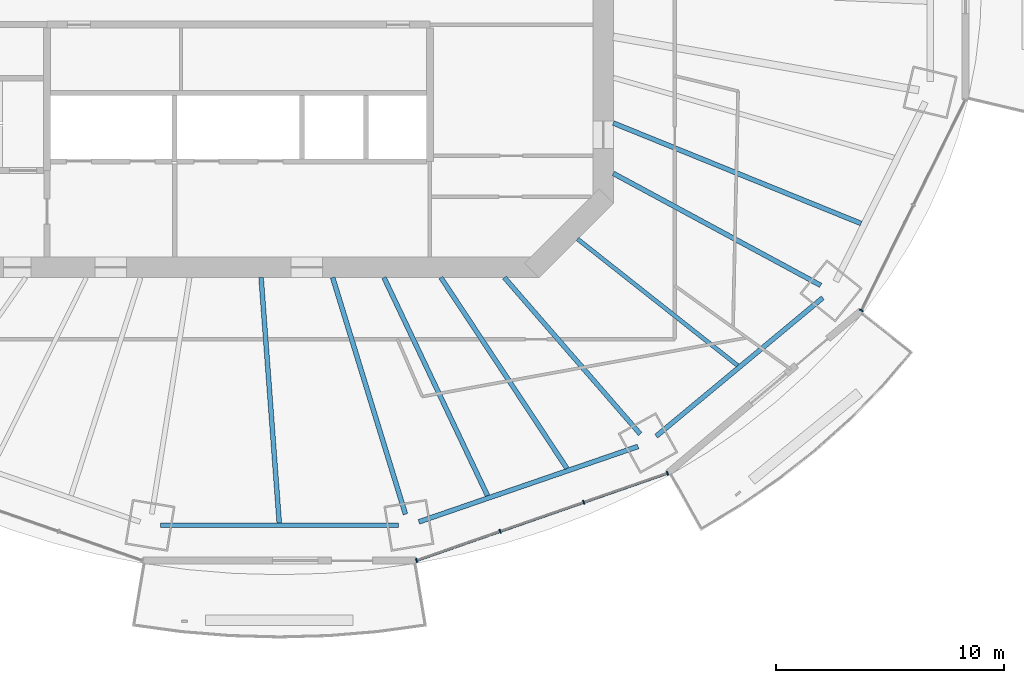
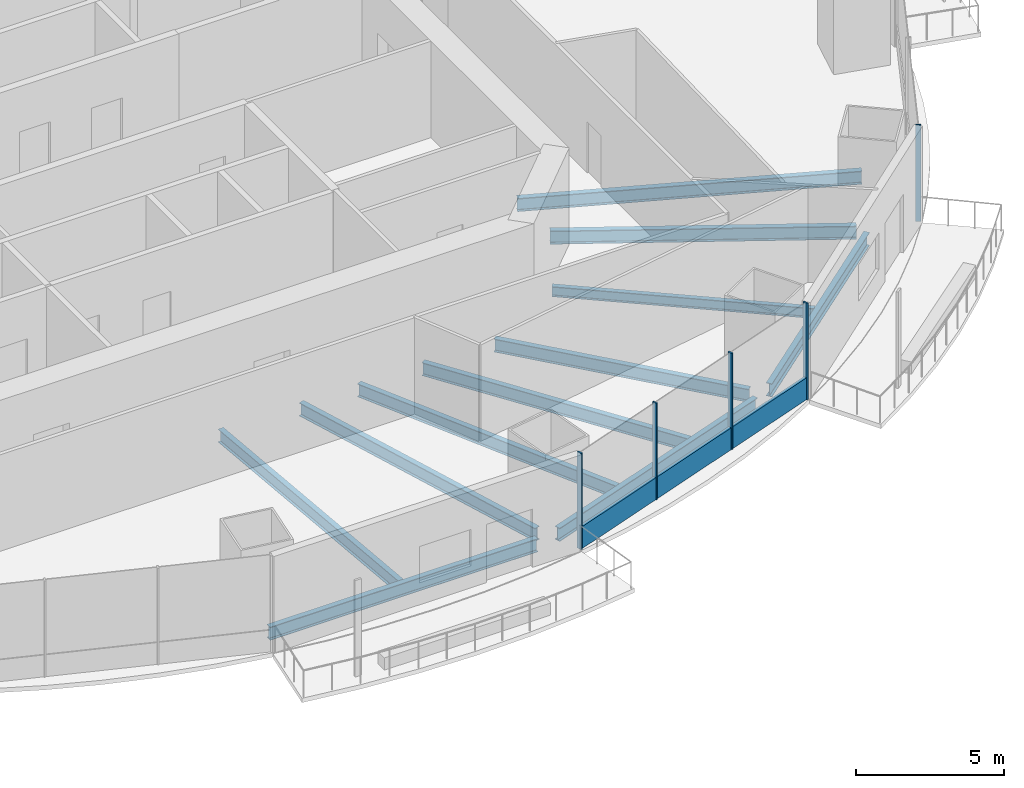
# One storey, part 4 of 19: 11 beams, 6 members, 2 elements without a shape of their own.
"""IFC4 building model written with IfcOpenShell, lengths in metres."""

from ifc_helpers import new_model, si_unit, direction, frame, origin, origin_2d, place, context, subcontext, project, spatial, rectangle, i_section, extrude, material, material_profile, profile_set, type_object, element, aggregate, save


model = new_model("IFC4")

# Units and contexts
model_context = context("Model", 3, precision=1e-05, world=origin(), true_north=direction((0.0, 1.0)))
body_context = subcontext(model_context, "Body", "Model", "MODEL_VIEW")
ifc_project = project(units=[si_unit("LENGTHUNIT", "METRE"), si_unit("AREAUNIT", "SQUARE_METRE"), si_unit("VOLUMEUNIT", "CUBIC_METRE"), si_unit("PLANEANGLEUNIT", "RADIAN"), si_unit("MASSUNIT", "GRAM", prefix="KILO")], contexts=[model_context])

# Site, building, storey
site_placement = place(None, origin())
site = spatial("IfcSite", under=ifc_project, at=site_placement, CompositionType="ELEMENT")
building_placement = place(site_placement, origin())
building = spatial("IfcBuilding", under=site, at=building_placement, Name="Marenthal Gate Tower", CompositionType="ELEMENT")
storey_placement = place(building_placement, frame((0.0, 0.0, 223.300048828125)))
storey = spatial("IfcBuildingStorey", under=building, at=storey_placement, Name="L49", CompositionType="ELEMENT", Elevation=223.300048828125)

# Curtain wall, members
ifc_material_1 = material(Name="Aluminium and glass", Category="aluminium")
curtain_wall_type = type_object("IfcCurtainWallType", Name="Curtain wall typical mid", PredefinedType="NOTDEFINED", material=ifc_material_1)
curtain_wall_1_placement = place(storey_placement, origin())
curtain_wall_1 = element("IfcCurtainWall", 1, at=curtain_wall_1_placement, inside=storey, type_object=curtain_wall_type, Name="Curtain wall L49 bay 13", PredefinedType="NOTDEFINED")
ifc_material_2 = material(Name="Aluminium", Category="aluminium")
ifc_material_profile_1 = material_profile(ifc_material_2, rectangle(XDim=0.179931640625, YDim=0.06005859375, at=origin_2d()), Name="60x180 aluminium mullion")
ifc_profile_set_1 = profile_set([ifc_material_profile_1], Name="Aluminium")
member_type_1 = type_object("IfcMemberType", Name="Mullion 60x180 typical mid", PredefinedType="MULLION", material=ifc_profile_set_1)
member_1_placement = place(storey_placement, frame((7.815185546875, -25.860107421875, 0.0), z_axis=(0.0, 0.0, 1.0), x_axis=(-0.328467970612, 0.94451510961, 0.0)))
member_1 = element("IfcMember", 2, at=member_1_placement, type_object=member_type_1, Name="Mullion L49 bay 13.1", PredefinedType="MULLION", context=body_context, shape_type="SweptSolid", body=[
    extrude(rectangle(XDim=0.179931640625, YDim=0.06005859375, at=origin_2d()), origin(), (0.0, 0.0, 1.0), 3.969970703125),
])
member_2_placement = place(storey_placement, frame((11.48388671875, -24.584228515625, 0.0), z_axis=(0.0, 0.0, 1.0), x_axis=(-0.328467970612, 0.94451510961, 0.0)))
member_2 = element("IfcMember", 3, at=member_2_placement, type_object=member_type_1, Name="Mullion L49 bay 13.2", PredefinedType="MULLION", context=body_context, shape_type="SweptSolid", body=[
    extrude(rectangle(XDim=0.179931640625, YDim=0.06005859375, at=origin_2d()), origin(), (0.0, 0.0, 1.0), 3.969970703125),
])
member_3_placement = place(storey_placement, frame((15.15234375, -23.308349609375, 0.0), z_axis=(0.0, 0.0, 1.0), x_axis=(-0.328467970612, 0.94451510961, 0.0)))
member_3 = element("IfcMember", 4, at=member_3_placement, type_object=member_type_1, Name="Mullion L49 bay 13.3", PredefinedType="MULLION", context=body_context, shape_type="SweptSolid", body=[
    extrude(rectangle(XDim=0.179931640625, YDim=0.06005859375, at=origin_2d()), origin(), (0.0, 0.0, 1.0), 3.969970703125),
])
member_4_placement = place(storey_placement, frame((18.821044921875, -22.03271484375, 0.0), z_axis=(0.0, 0.0, 1.0), x_axis=(-0.328467970612, 0.94451510961, 0.0)))
member_4 = element("IfcMember", 5, at=member_4_placement, type_object=member_type_1, Name="Mullion L49 bay 13.4", PredefinedType="MULLION", context=body_context, shape_type="SweptSolid", body=[
    extrude(rectangle(XDim=0.179931640625, YDim=0.06005859375, at=origin_2d()), origin(), (0.0, 0.0, 1.0), 3.969970703125),
])

# Curtain wall, member
curtain_wall_2_placement = place(storey_placement, origin())
curtain_wall_2 = element("IfcCurtainWall", 6, at=curtain_wall_2_placement, inside=storey, type_object=curtain_wall_type, Name="Curtain wall L49 bay 15", PredefinedType="NOTDEFINED")
member_5_placement = place(storey_placement, frame((27.329345703125, -14.887451171875, 0.0), z_axis=(0.0, 0.0, 1.0), x_axis=(-0.896797507361, 0.442441217329, 0.0)))
member_5 = element("IfcMember", 7, at=member_5_placement, type_object=member_type_1, Name="Mullion L49 bay 15.1", PredefinedType="MULLION", context=body_context, shape_type="SweptSolid", body=[
    extrude(rectangle(XDim=0.179931640625, YDim=0.06005859375, at=origin_2d()), origin(), (0.0, 0.0, 1.0), 3.969970703125),
])
aggregate(curtain_wall_2, [member_5])

# Member
ifc_material_3 = material(Name="Aluminium", Category="aluminium")
ifc_material_profile_2 = material_profile(ifc_material_3, rectangle(XDim=0.1201171875, YDim=0.89990234375, at=origin_2d()), Name="120x900 aluminium transom")
ifc_profile_set_2 = profile_set([ifc_material_profile_2], Name="Aluminium")
member_type_2 = type_object("IfcMemberType", Name="Transom 120x900 typical mid", PredefinedType="USERDEFINED", material=ifc_profile_set_2)
member_6_placement = place(storey_placement, frame((7.843505859375, -25.85009765625, 0.449951171875), z_axis=(0.944518387827, 0.328458543894, 0.0), x_axis=(-0.328458543894, 0.944518387827, 0.0)))
member_6 = element("IfcMember", 8, at=member_6_placement, type_object=member_type_2, Name="Transom L49 bay 13", ObjectType="TRANSOM", PredefinedType="USERDEFINED", context=body_context, shape_type="SweptSolid", body=[
    extrude(rectangle(XDim=0.1201171875, YDim=0.89990234375, at=origin_2d()), origin(), (0.0, 0.0, 1.0), 11.59228515625),
])

aggregate(curtain_wall_1, [member_1, member_2, member_3, member_4, member_6])

# Beams
ifc_material_4 = material(Name="Steel S355", Category="steel")
ifc_material_profile_3 = material_profile(ifc_material_4, i_section(OverallWidth=0.180908203125, OverallDepth=0.4169921875, WebThickness=0.010986328125, FlangeThickness=0.018310546875, FilletRadius=0.01025390625, at=origin_2d()), Name="W410X85")
ifc_profile_set_3 = profile_set([ifc_material_profile_3], Name="Steel S355")
beam_type_1 = type_object("IfcBeamType", Name="W410X85 beam", PredefinedType="BEAM", material=ifc_profile_set_3)
beam_1_placement = place(storey_placement, frame((21.90185546875, -17.3056640625, -0.388427734375), z_axis=(-0.784622950909, 0.619973245316, 0.0), x_axis=(-0.619973245316, -0.784622950909, 0.0)))
element("IfcBeam", 9, at=beam_1_placement, inside=storey, type_object=beam_type_1, Name="BM-L49-37", PredefinedType="BEAM", context=body_context, shape_type="SweptSolid", body=[
    extrude(i_section(OverallWidth=0.180908203125, OverallDepth=0.4169921875, WebThickness=0.010986328125, FlangeThickness=0.018310546875, FilletRadius=0.01025390625, at=origin_2d()), origin(), (0.0, 0.0, 1.0), 8.9501953125),
])
ifc_material_5 = material(Name="Steel S355", Category="steel")
ifc_material_profile_4 = material_profile(ifc_material_5, i_section(OverallWidth=0.2099609375, OverallDepth=0.535888671875, WebThickness=0.010986328125, FlangeThickness=0.017333984375, FilletRadius=0.0126953125, at=origin_2d()), Name="W530X101")
ifc_profile_set_4 = profile_set([ifc_material_profile_4], Name="Steel S355")
beam_type_2 = type_object("IfcBeamType", Name="W530X101 beam", PredefinedType="BEAM", material=ifc_profile_set_4)
beam_2_placement = place(storey_placement, frame((17.62939453125, -20.314697265625, -0.447998046875), z_axis=(-0.655422273477, 0.755262632089, 0.0), x_axis=(-0.755262632089, -0.655422273477, 0.0)))
element("IfcBeam", 10, at=beam_2_placement, inside=storey, type_object=beam_type_2, Name="BM-L49-14", PredefinedType="BEAM", context=body_context, shape_type="SweptSolid", body=[
    extrude(i_section(OverallWidth=0.2099609375, OverallDepth=0.535888671875, WebThickness=0.010986328125, FlangeThickness=0.017333984375, FilletRadius=0.0126953125, at=origin_2d()), origin(), (0.0, 0.0, 1.0), 9.089111328125),
])
beam_3_placement = place(storey_placement, frame((1.792236328125, -24.21435546875, -0.447998046875), z_axis=(-0.073804200104, 0.99727275108, 0.0), x_axis=(-0.99727275108, -0.073804200104, 0.0)))
element("IfcBeam", 11, at=beam_3_placement, inside=storey, type_object=beam_type_2, Name="BM-L49-34", PredefinedType="BEAM", context=body_context, shape_type="SweptSolid", body=[
    extrude(i_section(OverallWidth=0.2099609375, OverallDepth=0.535888671875, WebThickness=0.010986328125, FlangeThickness=0.017333984375, FilletRadius=0.0126953125, at=origin_2d()), origin(), (0.0, 0.0, 1.0), 10.7939453125),
])
beam_4_placement = place(storey_placement, frame((10.930419921875, -23.020263671875, -0.447998046875), z_axis=(-0.428906389913, 0.903348940715, 0.0), x_axis=(-0.903348940715, -0.428906389913, 0.0)))
element("IfcBeam", 12, at=beam_4_placement, inside=storey, type_object=beam_type_2, Name="BM-L49-35", PredefinedType="BEAM", context=body_context, shape_type="SweptSolid", body=[
    extrude(i_section(OverallWidth=0.2099609375, OverallDepth=0.535888671875, WebThickness=0.010986328125, FlangeThickness=0.017333984375, FilletRadius=0.0126953125, at=origin_2d()), origin(), (0.0, 0.0, 1.0), 10.59423828125),
])
beam_5_placement = place(storey_placement, frame((14.41357421875, -21.821533203125, -0.447998046875), z_axis=(-0.551140500108, 0.834412457446, 0.0), x_axis=(-0.834412457446, -0.551140500108, 0.0)))
element("IfcBeam", 13, at=beam_5_placement, inside=storey, type_object=beam_type_2, Name="BM-L49-36", PredefinedType="BEAM", context=body_context, shape_type="SweptSolid", body=[
    extrude(i_section(OverallWidth=0.2099609375, OverallDepth=0.535888671875, WebThickness=0.010986328125, FlangeThickness=0.017333984375, FilletRadius=0.0126953125, at=origin_2d()), origin(), (0.0, 0.0, 1.0), 10.032958984375),
])
ifc_material_6 = material(Name="Steel S355", Category="steel")
ifc_material_profile_5 = material_profile(ifc_material_6, i_section(OverallWidth=0.2119140625, OverallDepth=0.5439453125, WebThickness=0.01318359375, FlangeThickness=0.021240234375, FilletRadius=0.0126953125, at=origin_2d()), Name="W530X123")
ifc_profile_set_5 = profile_set([ifc_material_profile_5], Name="Steel S355")
beam_type_3 = type_object("IfcBeamType", Name="W530X123 beam", PredefinedType="BEAM", material=ifc_profile_set_5)
beam_6_placement = place(storey_placement, frame((7.3291015625, -23.833740234375, -0.4521484375), z_axis=(-0.293926346107, 0.955828071917, 0.0), x_axis=(-0.955828071917, -0.293926346107, 0.0)))
element("IfcBeam", 14, at=beam_6_placement, inside=storey, type_object=beam_type_3, Name="BM-L49-13", PredefinedType="BEAM", context=body_context, shape_type="SweptSolid", body=[
    extrude(i_section(OverallWidth=0.2119140625, OverallDepth=0.5439453125, WebThickness=0.01318359375, FlangeThickness=0.021240234375, FilletRadius=0.0126953125, at=origin_2d()), origin(), (0.0, 0.0, 1.0), 10.86376953125),
])
beam_7_placement = place(storey_placement, frame((25.547607421875, -13.791015625, -0.4521484375), z_axis=(-0.879970155626, 0.475028973019, 0.0), x_axis=(-0.475028973019, -0.879970155626, 0.0)))
element("IfcBeam", 15, at=beam_7_placement, inside=storey, type_object=beam_type_3, Name="BM-L49-15", PredefinedType="BEAM", context=body_context, shape_type="SweptSolid", body=[
    extrude(i_section(OverallWidth=0.2119140625, OverallDepth=0.5439453125, WebThickness=0.01318359375, FlangeThickness=0.021240234375, FilletRadius=0.0126953125, at=origin_2d()), origin(), (0.0, 0.0, 1.0), 10.338623046875),
])
beam_8_placement = place(storey_placement, frame((27.321533203125, -11.077880859375, -0.4521484375), z_axis=(-0.926722620967, 0.375746169359, 0.0), x_axis=(-0.375746169359, -0.926722620967, 0.0)))
element("IfcBeam", 16, at=beam_8_placement, inside=storey, type_object=beam_type_3, Name="BM-L49-38", PredefinedType="BEAM", context=body_context, shape_type="SweptSolid", body=[
    extrude(i_section(OverallWidth=0.2119140625, OverallDepth=0.5439453125, WebThickness=0.01318359375, FlangeThickness=0.021240234375, FilletRadius=0.0126953125, at=origin_2d()), origin(), (0.0, 0.0, 1.0), 11.731201171875),
])
beam_9_placement = place(storey_placement, frame((-3.415771484375, -24.3203125, -0.4521484375), z_axis=(1.0, 0.0, 0.0), x_axis=(0.0, 1.0, 0.0)))
element("IfcBeam", 17, at=beam_9_placement, inside=storey, type_object=beam_type_3, Name="BM-L49-52", PredefinedType="BEAM", context=body_context, shape_type="SweptSolid", body=[
    extrude(i_section(OverallWidth=0.2119140625, OverallDepth=0.5439453125, WebThickness=0.01318359375, FlangeThickness=0.021240234375, FilletRadius=0.0126953125, at=origin_2d()), origin(), (0.0, 0.0, 1.0), 10.431640625),
])
beam_10_placement = place(storey_placement, frame((7.9169921875, -24.16943359375, -0.4521484375), z_axis=(0.945567746604, 0.325425316443, 0.0), x_axis=(-0.325425316443, 0.945567746604, 0.0)))
element("IfcBeam", 18, at=beam_10_placement, inside=storey, type_object=beam_type_3, Name="BM-L49-53", PredefinedType="BEAM", context=body_context, shape_type="SweptSolid", body=[
    extrude(i_section(OverallWidth=0.2119140625, OverallDepth=0.5439453125, WebThickness=0.01318359375, FlangeThickness=0.021240234375, FilletRadius=0.0126953125, at=origin_2d()), origin(), (0.0, 0.0, 1.0), 10.16845703125),
])
beam_11_placement = place(storey_placement, frame((18.33056640625, -20.410888671875, -0.4521484375), z_axis=(0.769144726812, 0.639074635091, 0.0), x_axis=(-0.639074635091, 0.769144726812, 0.0)))
element("IfcBeam", 19, at=beam_11_placement, inside=storey, type_object=beam_type_3, Name="BM-L49-54", PredefinedType="BEAM", context=body_context, shape_type="SweptSolid", body=[
    extrude(i_section(OverallWidth=0.2119140625, OverallDepth=0.5439453125, WebThickness=0.01318359375, FlangeThickness=0.021240234375, FilletRadius=0.0126953125, at=origin_2d()), origin(), (0.0, 0.0, 1.0), 9.505126953125),
])

save(model, "model.ifc")
